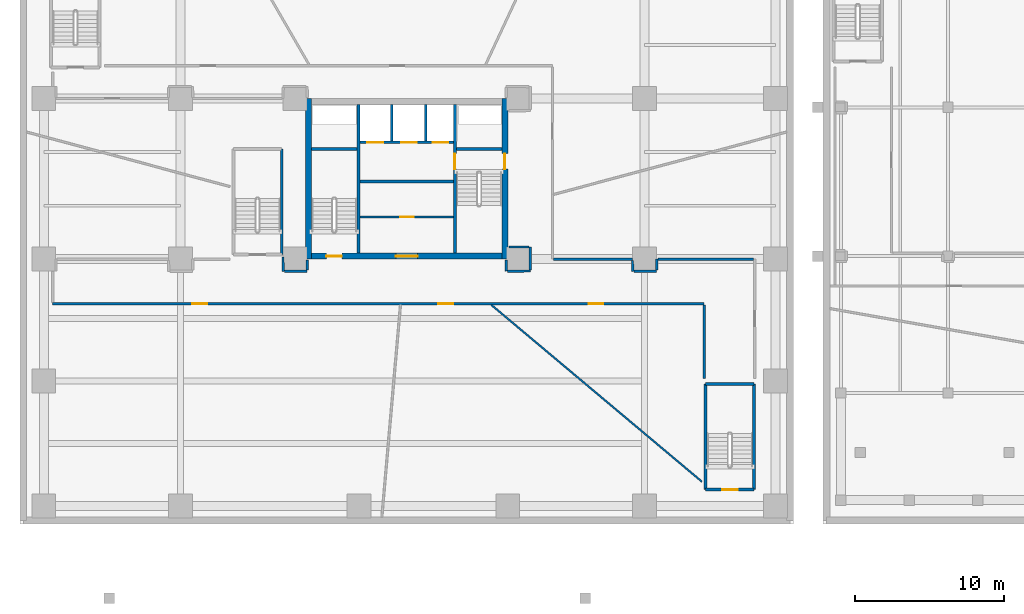
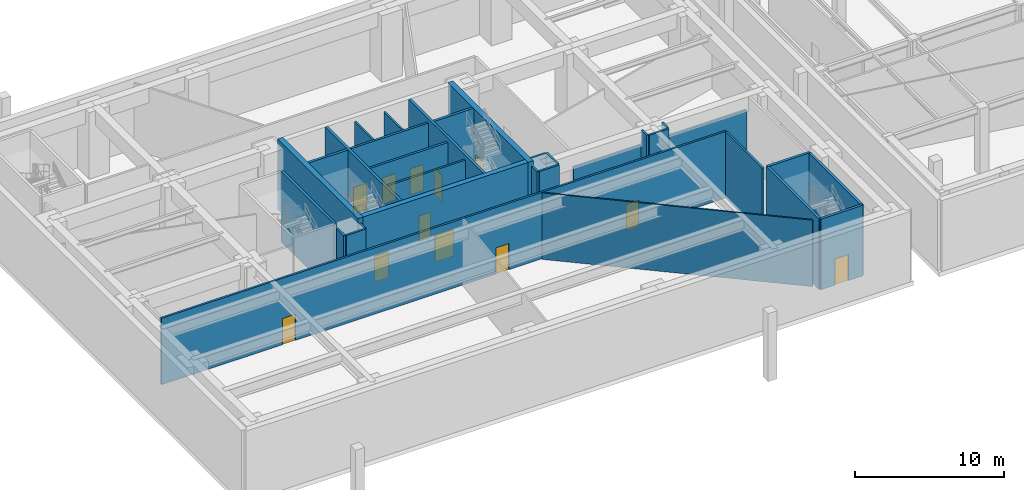
# One storey, part 4 of 12: 32 walls, 12 doors, 12 openings.
"""IFC4 building model written with IfcOpenShell, lengths in metres."""

from ifc_helpers import new_model, si_unit, direction, frame, frame_2d, origin, place, context, subcontext, project, spatial, rectangle, extrude, source, transform, mapped, material, layer, layer_set, type_object, type_shapes, element, fill, save


model = new_model("IFC4")

# Units and contexts
model_context = context("Model", 3, precision=1e-05, world=origin(), true_north=direction((0.0, 1.0)))
body_context = subcontext(model_context, "Body", "Model", "MODEL_VIEW")
ifc_project = project(units=[si_unit("LENGTHUNIT", "METRE"), si_unit("AREAUNIT", "SQUARE_METRE"), si_unit("VOLUMEUNIT", "CUBIC_METRE"), si_unit("PLANEANGLEUNIT", "RADIAN"), si_unit("MASSUNIT", "GRAM", prefix="KILO")], contexts=[model_context])

# Site, building, storey
site_placement = place(None, origin())
site = spatial("IfcSite", under=ifc_project, at=site_placement, CompositionType="ELEMENT")
building_placement = place(site_placement, origin())
building = spatial("IfcBuilding", under=site, at=building_placement, Name="Talar Marvaseh", CompositionType="ELEMENT")
storey_placement = place(building_placement, frame((0.0, 0.0, -5.800048828125)))
storey = spatial("IfcBuildingStorey", under=building, at=storey_placement, Name="B01", CompositionType="ELEMENT", Elevation=-5.800048828125)

# Wall, opening, door
ifc_material_1 = material(Name="Gypsum Board Partition Assembly")
ifc_layer_1 = layer(ifc_material_1, 0.155029296875)
ifc_layer_set_1 = layer_set([ifc_layer_1], Name="Gypsum Board Partition Assembly")
wall_type_1 = type_object("IfcWallType", Name="Corridor Fire-Rated Acoustic Partition 155", PredefinedType="PARTITIONING", material=ifc_layer_set_1)
wall_1_placement = place(storey_placement, frame((22.865966796875, 28.639892578125, 0.0), z_axis=(0.0, 0.0, 1.0), x_axis=(1.0, 0.0, 0.0)))
wall_1 = element("IfcWall", 1, at=wall_1_placement, inside=storey, type_object=wall_type_1, Name="B01 Core BOH Partition", PredefinedType="PARTITIONING", context=body_context, shape_type="SweptSolid", body=[
    extrude(rectangle(XDim=6.26806640625, YDim=0.155029296875, at=frame_2d((3.134033203125, 0.0))), origin(), (0.0, 0.0, 1.0), 5.449951171875),
])
opening_1_placement = place(wall_1_placement, frame((2.699951171875, 0.0, 0.0)))
opening_1 = element("IfcOpeningElement", 2, at=opening_1_placement, cuts=wall_1, Name="Opening DR-BOH090", PredefinedType="OPENING", context=body_context, shape_type="SweptSolid", body=[
    extrude(rectangle(XDim=0.89990234375, YDim=2.10009765625, at=frame_2d((0.449951171875, 1.050048828125))), frame((0.0, 0.08740234375, 0.0), z_axis=(0.0, -1.0, 0.0), x_axis=(1.0, 0.0, 0.0)), (0.0, 0.0, 1.0), 0.175048828125),
])
ifc_material_2 = material(Name="Fire-Rated Steel Door Leaf", Category="steel")
door_type_1 = type_object("IfcDoorType", Name="Core Back-of-House Service Door 900x2100", OperationType="NOTDEFINED", PredefinedType="DOOR", material=ifc_material_2)
shared_shape_1 = source(origin(), body_context, "Body", "SweptSolid", [
    extrude(rectangle(XDim=0.89990234375, YDim=2.10009765625, at=frame_2d((0.449951171875, 1.050048828125))), frame((0.0, 0.02490234375, 0.0), z_axis=(0.0, -1.0, 0.0), x_axis=(1.0, 0.0, 0.0)), (0.0, 0.0, 1.0), 0.050048828125),
])
type_shapes(door_type_1, [shared_shape_1])
door_1_placement = place(opening_1_placement, origin())
door_1 = element("IfcDoor", 3, at=door_1_placement, inside=storey, type_object=door_type_1, Name="B01 Store Core Central Archive Door", OperationType="SINGLE_SWING_LEFT", OverallHeight=2.10009765625, OverallWidth=0.89990234375, PredefinedType="DOOR", context=body_context, shape_type="MappedRepresentation", body=[
    mapped(shared_shape_1, transform((0.0, 0.0, 0.0), x_axis=(1.0, 0.0, 0.0), y_axis=(0.0, 1.0, 0.0), z_axis=(0.0, 0.0, 1.0), scale=1.0)),
])
fill(opening_1, door_1)

# Wall, openings, doors
wall_2_placement = place(storey_placement, frame((46.0, 22.800048828125, 0.0), z_axis=(0.0, 0.0, 1.0), x_axis=(-1.0, 0.0, 0.0)))
wall_2 = element("IfcWall", 4, at=wall_2_placement, inside=storey, type_object=wall_type_1, Name="B01 Interior Partition Wall", PredefinedType="PARTITIONING", context=body_context, shape_type="SweptSolid", body=[
    extrude(rectangle(XDim=43.800048828125, YDim=0.155029296875, at=frame_2d((21.89990234375, 0.0))), origin(), (0.0, 0.0, 1.0), 5.449951171875),
])
opening_2_placement = place(wall_2_placement, frame((33.41796875, 0.0, 0.0)))
opening_2 = element("IfcOpeningElement", 5, at=opening_2_placement, cuts=wall_2, Name="Opening DR-RM100", PredefinedType="OPENING", context=body_context, shape_type="SweptSolid", body=[
    extrude(rectangle(XDim=1.0, YDim=2.14990234375, at=frame_2d((0.5, 1.074951171875))), frame((0.0, 0.08740234375, 0.0), z_axis=(0.0, -1.0, 0.0), x_axis=(1.0, 0.0, 0.0)), (0.0, 0.0, 1.0), 0.175048828125),
])
opening_3_placement = place(wall_2_placement, frame((16.8662109375, 0.0, 0.0)))
opening_3 = element("IfcOpeningElement", 6, at=opening_3_placement, cuts=wall_2, Name="Opening DR-RM100", PredefinedType="OPENING", context=body_context, shape_type="SweptSolid", body=[
    extrude(rectangle(XDim=1.0, YDim=2.14990234375, at=frame_2d((0.5, 1.074951171875))), frame((0.0, 0.08740234375, 0.0), z_axis=(0.0, -1.0, 0.0), x_axis=(1.0, 0.0, 0.0)), (0.0, 0.0, 1.0), 0.175048828125),
])
opening_4_placement = place(wall_2_placement, frame((6.79443359375, 0.0, 0.0)))
opening_4 = element("IfcOpeningElement", 7, at=opening_4_placement, cuts=wall_2, Name="Opening DR-WC095", PredefinedType="OPENING", context=body_context, shape_type="SweptSolid", body=[
    extrude(rectangle(XDim=0.949951171875, YDim=2.14990234375, at=frame_2d((0.47509765625, 1.074951171875))), frame((0.0, 0.08740234375, 0.0), z_axis=(0.0, -1.0, 0.0), x_axis=(1.0, 0.0, 0.0)), (0.0, 0.0, 1.0), 0.175048828125),
])
ifc_material_3 = material(Name="Acoustic Engineered Oak Timber", Category="wood")
door_type_2 = type_object("IfcDoorType", Name="Washroom and Service Room Door 950x2150", OperationType="NOTDEFINED", PredefinedType="DOOR", material=ifc_material_3)
shared_shape_2 = source(origin(), body_context, "Body", "SweptSolid", [
    extrude(rectangle(XDim=0.949951171875, YDim=2.14990234375, at=frame_2d((0.47509765625, 1.074951171875))), frame((0.0, 0.02490234375, 0.0), z_axis=(0.0, -1.0, 0.0), x_axis=(1.0, 0.0, 0.0)), (0.0, 0.0, 1.0), 0.050048828125),
])
type_shapes(door_type_2, [shared_shape_2])
door_2_placement = place(opening_4_placement, origin())
door_2 = element("IfcDoor", 8, at=door_2_placement, inside=storey, type_object=door_type_2, Name="B01 Accessible WC Block Door", OperationType="SINGLE_SWING_LEFT", OverallHeight=2.14990234375, OverallWidth=0.949951171875, PredefinedType="DOOR", context=body_context, shape_type="MappedRepresentation", body=[
    mapped(shared_shape_2, transform((0.0, 0.0, 0.0), x_axis=(1.0, 0.0, 0.0), y_axis=(0.0, 1.0, 0.0), z_axis=(0.0, 0.0, 1.0), scale=1.0)),
])
fill(opening_4, door_2)
door_type_3 = type_object("IfcDoorType", Name="Corridor Fire-Rated Gallery Door 1000x2150", OperationType="NOTDEFINED", PredefinedType="DOOR", material=ifc_material_3)
shared_shape_3 = source(origin(), body_context, "Body", "SweptSolid", [
    extrude(rectangle(XDim=1.0, YDim=2.14990234375, at=frame_2d((0.5, 1.074951171875))), frame((0.0, 0.02490234375, 0.0), z_axis=(0.0, -1.0, 0.0), x_axis=(1.0, 0.0, 0.0)), (0.0, 0.0, 1.0), 0.050048828125),
])
type_shapes(door_type_3, [shared_shape_3])
door_3_placement = place(opening_2_placement, origin())
door_3 = element("IfcDoor", 9, at=door_3_placement, inside=storey, type_object=door_type_3, Name="B01 Metro Paid Ticket Concourse Door", OperationType="SINGLE_SWING_LEFT", OverallHeight=2.14990234375, OverallWidth=1.0, PredefinedType="DOOR", context=body_context, shape_type="MappedRepresentation", body=[
    mapped(shared_shape_3, transform((0.0, 0.0, 0.0), x_axis=(1.0, 0.0, 0.0), y_axis=(0.0, 1.0, 0.0), z_axis=(0.0, 0.0, 1.0), scale=1.0)),
])
fill(opening_2, door_3)
door_4_placement = place(opening_3_placement, origin())
door_4 = element("IfcDoor", 10, at=door_4_placement, inside=storey, type_object=door_type_3, Name="B01 Unpaid Station Interchange Concourse Door", OperationType="SINGLE_SWING_RIGHT", OverallHeight=2.14990234375, OverallWidth=1.0, PredefinedType="DOOR", context=body_context, shape_type="MappedRepresentation", body=[
    mapped(shared_shape_3, transform((0.0, 0.0, 0.0), x_axis=(1.0, 0.0, 0.0), y_axis=(0.0, 1.0, 0.0), z_axis=(0.0, 0.0, 1.0), scale=1.0)),
])
fill(opening_3, door_4)

# Walls
wall_3_placement = place(storey_placement, frame((17.68505859375, 25.949951171875, 0.0), z_axis=(0.0, 0.0, 1.0), x_axis=(0.01543338431, -0.999880898232, 0.0)))
element("IfcWall", 11, at=wall_3_placement, inside=storey, type_object=wall_type_1, Name="B01 Interior Partition Wall", PredefinedType="PARTITIONING", context=body_context, shape_type="SweptSolid", body=[
    extrude(rectangle(XDim=0.96484375, YDim=0.155029296875, at=frame_2d((0.482421875, 0.0))), origin(), (0.0, 0.0, 1.0), 5.449951171875),
])
wall_4_placement = place(storey_placement, frame((17.783447265625, 24.985107421875, 0.0), z_axis=(0.0, 0.0, 1.0), x_axis=(0.99999937099, 0.00112161442, 0.0)))
element("IfcWall", 12, at=wall_4_placement, inside=storey, type_object=wall_type_1, Name="B01 Interior Partition Wall", PredefinedType="PARTITIONING", context=body_context, shape_type="SweptSolid", body=[
    extrude(rectangle(XDim=1.523681640625, YDim=0.155029296875, at=frame_2d((0.76171875, 0.0))), origin(), (0.0, 0.0, 1.0), 5.449951171875),
])
wall_5_placement = place(storey_placement, frame((19.30810546875, 25.0703125, 0.0), z_axis=(0.0, 0.0, 1.0), x_axis=(0.010362137944, 0.999946311607, 0.0)))
element("IfcWall", 13, at=wall_5_placement, inside=storey, type_object=wall_type_1, Name="B01 Interior Partition Wall", PredefinedType="PARTITIONING", context=body_context, shape_type="SweptSolid", body=[
    extrude(rectangle(XDim=0.65966796875, YDim=0.155029296875, at=frame_2d((0.329833984375, 0.0))), origin(), (0.0, 0.0, 1.0), 5.449951171875),
])
wall_6_placement = place(storey_placement, frame((32.68505859375, 25.72998046875, 0.0), z_axis=(0.0, 0.0, 1.0), x_axis=(0.010511902743, -0.999944748424, 0.0)))
element("IfcWall", 14, at=wall_6_placement, inside=storey, type_object=wall_type_1, Name="B01 Interior Partition Wall", PredefinedType="PARTITIONING", context=body_context, shape_type="SweptSolid", body=[
    extrude(rectangle(XDim=0.7431640625, YDim=0.155029296875, at=frame_2d((0.37158203125, 0.0))), origin(), (0.0, 0.0, 1.0), 5.449951171875),
])
wall_7_placement = place(storey_placement, frame((32.7763671875, 24.987548828125, 0.0), z_axis=(0.0, 0.0, 1.0), x_axis=(0.999967255963, 0.008092404007, 0.0)))
element("IfcWall", 15, at=wall_7_placement, inside=storey, type_object=wall_type_1, Name="B01 Interior Partition Wall", PredefinedType="PARTITIONING", context=body_context, shape_type="SweptSolid", body=[
    extrude(rectangle(XDim=1.53857421875, YDim=0.155029296875, at=frame_2d((0.769287109375, 0.0))), origin(), (0.0, 0.0, 1.0), 5.449951171875),
])
wall_8_placement = place(storey_placement, frame((34.314697265625, 25.08349609375, 0.0), z_axis=(0.0, 0.0, 1.0), x_axis=(-0.002717815702, 0.999996306732, 0.0)))
element("IfcWall", 16, at=wall_8_placement, inside=storey, type_object=wall_type_1, Name="B01 Interior Partition Wall", PredefinedType="PARTITIONING", context=body_context, shape_type="SweptSolid", body=[
    extrude(rectangle(XDim=1.527099609375, YDim=0.155029296875, at=frame_2d((0.763671875, 0.0))), origin(), (0.0, 0.0, 1.0), 5.449951171875),
])
wall_9_placement = place(storey_placement, frame((34.22705078125, 26.61083984375, 0.0), z_axis=(0.0, 0.0, 1.0), x_axis=(-0.999995856473, 0.002878721429, 0.0)))
element("IfcWall", 17, at=wall_9_placement, inside=storey, type_object=wall_type_1, Name="B01 Interior Partition Wall", PredefinedType="PARTITIONING", context=body_context, shape_type="SweptSolid", body=[
    extrude(rectangle(XDim=1.35693359375, YDim=0.155029296875, at=frame_2d((0.678466796875, 0.0))), origin(), (0.0, 0.0, 1.0), 5.449951171875),
])
wall_10_placement = place(storey_placement, frame((35.883544921875, 25.800048828125, 0.0), z_axis=(0.0, 0.0, 1.0), x_axis=(1.0, 0.0, 0.0)))
element("IfcWall", 18, at=wall_10_placement, inside=storey, type_object=wall_type_1, Name="B01 Interior Partition Wall", PredefinedType="PARTITIONING", context=body_context, shape_type="SweptSolid", body=[
    extrude(rectangle(XDim=5.301513671875, YDim=0.155029296875, at=frame_2d((2.65087890625, 0.0))), origin(), (0.0, 0.0, 1.0), 4.22509765625),
])
wall_11_placement = place(storey_placement, frame((41.1865234375, 25.716552734375, 0.0), z_axis=(0.0, 0.0, 1.0), x_axis=(0.01835471782, -0.999831537977, 0.0)))
element("IfcWall", 19, at=wall_11_placement, inside=storey, type_object=wall_type_1, Name="B01 Interior Partition Wall", PredefinedType="PARTITIONING", context=body_context, shape_type="SweptSolid", body=[
    extrude(rectangle(XDim=0.731689453125, YDim=0.155029296875, at=frame_2d((0.36572265625, 0.0))), origin(), (0.0, 0.0, 1.0), 5.449951171875),
])
wall_12_placement = place(storey_placement, frame((41.283447265625, 24.985107421875, 0.0), z_axis=(0.0, 0.0, 1.0), x_axis=(0.99999937099, 0.00112161442, 0.0)))
element("IfcWall", 20, at=wall_12_placement, inside=storey, type_object=wall_type_1, Name="B01 Interior Partition Wall", PredefinedType="PARTITIONING", context=body_context, shape_type="SweptSolid", body=[
    extrude(rectangle(XDim=1.523681640625, YDim=0.155029296875, at=frame_2d((0.76171875, 0.0))), origin(), (0.0, 0.0, 1.0), 5.449951171875),
])
wall_13_placement = place(storey_placement, frame((42.807861328125, 25.0703125, 0.0), z_axis=(0.0, 0.0, 1.0), x_axis=(0.009701784932, 0.999952936577, 0.0)))
element("IfcWall", 21, at=wall_13_placement, inside=storey, type_object=wall_type_1, Name="B01 Interior Partition Wall", PredefinedType="PARTITIONING", context=body_context, shape_type="SweptSolid", body=[
    extrude(rectangle(XDim=0.729736328125, YDim=0.155029296875, at=frame_2d((0.36474609375, 0.0))), origin(), (0.0, 0.0, 1.0), 5.449951171875),
])
wall_14_placement = place(storey_placement, frame((42.8984375, 25.800048828125, 0.0), z_axis=(0.0, 0.0, 1.0), x_axis=(1.0, 0.0, 0.0)))
element("IfcWall", 22, at=wall_14_placement, inside=storey, type_object=wall_type_1, Name="B01 Interior Partition Wall", PredefinedType="PARTITIONING", context=body_context, shape_type="SweptSolid", body=[
    extrude(rectangle(XDim=6.41796875, YDim=0.155029296875, at=frame_2d((3.208984375, 0.0))), origin(), (0.0, 0.0, 1.0), 4.22509765625),
])
wall_15_placement = place(storey_placement, frame((46.0, 17.77001953125, 0.0), z_axis=(0.0, 0.0, 1.0), x_axis=(0.0, 1.0, 0.0)))
element("IfcWall", 23, at=wall_15_placement, inside=storey, type_object=wall_type_1, Name="B01 Interior Partition Wall", PredefinedType="PARTITIONING", context=body_context, shape_type="SweptSolid", body=[
    extrude(rectangle(XDim=4.946533203125, YDim=0.155029296875, at=frame_2d((2.47314453125, 0.0))), origin(), (0.0, 0.0, 1.0), 5.449951171875),
])
ifc_layer_2 = layer(ifc_material_1, 0.1201171875)
ifc_layer_set_2 = layer_set([ifc_layer_2], Name="Gypsum Board Partition Assembly")
wall_type_2 = type_object("IfcWallType", Name="Demountable Studio Room Partition 120", PredefinedType="PARTITIONING", material=ifc_layer_set_2)
wall_16_placement = place(storey_placement, frame((31.699462890625, 22.716552734375, 0.0), z_axis=(0.0, 0.0, 1.0), x_axis=(0.765973207977, -0.642872494871, 0.0)))
element("IfcWall", 24, at=wall_16_placement, inside=storey, type_object=wall_type_2, Name="B01 Interior Partition Wall", PredefinedType="PARTITIONING", context=body_context, shape_type="SweptSolid", body=[
    extrude(rectangle(XDim=18.47412109375, YDim=0.1201171875, at=frame_2d((9.237060546875, 0.0))), origin(), (0.0, 0.0, 1.0), 5.449951171875),
])
ifc_material_4 = material(Name="Precast concrete C45/55", Category="concrete")
ifc_layer_3 = layer(ifc_material_4, 0.14501953125)
ifc_layer_set_3 = layer_set([ifc_layer_3], Name="Precast concrete C45/55")
wall_type_3 = type_object("IfcWallType", Name="Fire-Rated Lift Divider Wall 145", PredefinedType="SOLIDWALL", material=ifc_layer_set_3)
for number, where, z_axis, x_axis, name in (
    (25, (25.0, 33.743408203125, 0.0), (0.0, 0.0, 1.0), (0.0, 1.0, 0.0), "B01 FFL-1/FFL-2 Divider"),
    (26, (27.280029296875, 33.743408203125, 0.0), (0.0, 0.0, 1.0), (0.0, 1.0, 0.0), "B01 FFL-2/SVL-1 Divider"),
):
    element("IfcWall", number, at=place(storey_placement, frame(where, z_axis=z_axis, x_axis=x_axis)), inside=storey, type_object=wall_type_3, Name=name, PredefinedType="SOLIDWALL", context=body_context, shape_type="SweptSolid", body=[
        extrude(rectangle(XDim=2.45654296875, YDim=0.14501953125, at=frame_2d((1.228271484375, 0.0))), origin(), (0.0, 0.0, 1.0), 5.449951171875),
    ])

# Wall, openings, doors
ifc_layer_4 = layer(ifc_material_4, 0.175048828125)
ifc_layer_set_4 = layer_set([ifc_layer_4], Name="Precast concrete C45/55")
wall_type_4 = type_object("IfcWallType", Name="Fire-Rated Lift Hoistway Enclosure Wall 175", PredefinedType="SOLIDWALL", material=ifc_layer_set_4)
wall_17_placement = place(storey_placement, frame((22.860107421875, 33.64990234375, 0.0), z_axis=(0.0, 0.0, 1.0), x_axis=(1.0, 0.0, 0.0)))
wall_17 = element("IfcWall", 27, at=wall_17_placement, inside=storey, type_object=wall_type_4, Name="B01 Firefighting and Service Lift Front Wall", PredefinedType="SOLIDWALL", context=body_context, shape_type="SweptSolid", body=[
    extrude(rectangle(XDim=6.27978515625, YDim=0.175048828125, at=frame_2d((3.139892578125, 0.0))), origin(), (0.0, 0.0, 1.0), 5.449951171875),
])
opening_5_placement = place(wall_17_placement, frame((0.5, 0.0, 0.0)))
opening_5 = element("IfcOpeningElement", 28, at=opening_5_placement, cuts=wall_17, Name="Opening LD-FF1", PredefinedType="OPENING", context=body_context, shape_type="SweptSolid", body=[
    extrude(rectangle(XDim=1.050048828125, YDim=2.14990234375, at=frame_2d((0.52490234375, 1.074951171875))), frame((0.0, 0.09765625, 0.0), z_axis=(0.0, -1.0, 0.0), x_axis=(1.0, 0.0, 0.0)), (0.0, 0.0, 1.0), 0.195068359375),
])
opening_6_placement = place(wall_17_placement, frame((2.760009765625, 0.0, 0.0)))
opening_6 = element("IfcOpeningElement", 29, at=opening_6_placement, cuts=wall_17, Name="Opening LD-FF2", PredefinedType="OPENING", context=body_context, shape_type="SweptSolid", body=[
    extrude(rectangle(XDim=1.050048828125, YDim=2.14990234375, at=frame_2d((0.52490234375, 1.074951171875))), frame((0.0, 0.09765625, 0.0), z_axis=(0.0, -1.0, 0.0), x_axis=(1.0, 0.0, 0.0)), (0.0, 0.0, 1.0), 0.195068359375),
])
opening_7_placement = place(wall_17_placement, frame((4.89990234375, 0.0, 0.0)))
opening_7 = element("IfcOpeningElement", 30, at=opening_7_placement, cuts=wall_17, Name="Opening LD-SV1", PredefinedType="OPENING", context=body_context, shape_type="SweptSolid", body=[
    extrude(rectangle(XDim=1.050048828125, YDim=2.14990234375, at=frame_2d((0.52490234375, 1.074951171875))), frame((0.0, 0.09765625, 0.0), z_axis=(0.0, -1.0, 0.0), x_axis=(1.0, 0.0, 0.0)), (0.0, 0.0, 1.0), 0.195068359375),
])
ifc_material_5 = material(Name="Stainless Steel Grade 316", Category="steel")
door_type_4 = type_object("IfcDoorType", Name="Automatic Sliding Lift Landing Door 1050x2150", OperationType="NOTDEFINED", PredefinedType="DOOR", material=ifc_material_5)
shared_shape_4 = source(origin(), body_context, "Body", "SweptSolid", [
    extrude(rectangle(XDim=1.050048828125, YDim=2.14990234375, at=frame_2d((0.52490234375, 1.074951171875))), frame((0.0, 0.02490234375, 0.0), z_axis=(0.0, -1.0, 0.0), x_axis=(1.0, 0.0, 0.0)), (0.0, 0.0, 1.0), 0.050048828125),
])
type_shapes(door_type_4, [shared_shape_4])
door_5_placement = place(opening_5_placement, origin())
door_5 = element("IfcDoor", 31, at=door_5_placement, inside=storey, type_object=door_type_4, Name="B01 Lift FFL-1 Sliding Landing Door", OperationType="SLIDING_TO_LEFT", OverallHeight=2.14990234375, OverallWidth=1.050048828125, PredefinedType="DOOR", context=body_context, shape_type="MappedRepresentation", body=[
    mapped(shared_shape_4, transform((0.0, 0.0, 0.0), x_axis=(1.0, 0.0, 0.0), y_axis=(0.0, 1.0, 0.0), z_axis=(0.0, 0.0, 1.0), scale=1.0)),
])
fill(opening_5, door_5)
door_6_placement = place(opening_6_placement, origin())
door_6 = element("IfcDoor", 32, at=door_6_placement, inside=storey, type_object=door_type_4, Name="B01 Lift FFL-2 Sliding Landing Door", OperationType="SLIDING_TO_LEFT", OverallHeight=2.14990234375, OverallWidth=1.050048828125, PredefinedType="DOOR", context=body_context, shape_type="MappedRepresentation", body=[
    mapped(shared_shape_4, transform((0.0, 0.0, 0.0), x_axis=(1.0, 0.0, 0.0), y_axis=(0.0, 1.0, 0.0), z_axis=(0.0, 0.0, 1.0), scale=1.0)),
])
fill(opening_6, door_6)
door_7_placement = place(opening_7_placement, origin())
door_7 = element("IfcDoor", 33, at=door_7_placement, inside=storey, type_object=door_type_4, Name="B01 Lift SVL-1 Sliding Landing Door", OperationType="SLIDING_TO_LEFT", OverallHeight=2.14990234375, OverallWidth=1.050048828125, PredefinedType="DOOR", context=body_context, shape_type="MappedRepresentation", body=[
    mapped(shared_shape_4, transform((0.0, 0.0, 0.0), x_axis=(1.0, 0.0, 0.0), y_axis=(0.0, 1.0, 0.0), z_axis=(0.0, 0.0, 1.0), scale=1.0)),
])
fill(opening_7, door_7)

# Walls
wall_18_placement = place(storey_placement, frame((22.860107421875, 31.02001953125, 0.0), z_axis=(0.0, 0.0, 1.0), x_axis=(1.0, 0.0, 0.0)))
element("IfcWall", 34, at=wall_18_placement, inside=storey, type_object=wall_type_4, Name="B01 Firefighting Lobby South Smoke Wall", PredefinedType="SOLIDWALL", context=body_context, shape_type="SweptSolid", body=[
    extrude(rectangle(XDim=6.27978515625, YDim=0.175048828125, at=frame_2d((3.139892578125, 0.0))), origin(), (0.0, 0.0, 1.0), 5.449951171875),
])
ifc_material_6 = material(Name="Concrete C70/85", Category="concrete")
ifc_layer_5 = layer(ifc_material_6, 0.39990234375)
ifc_layer_set_5 = layer_set([ifc_layer_5], Name="Concrete C70/85")
wall_type_5 = type_object("IfcWallType", Name="Lower Core Reinforced Concrete Shear Wall 400", PredefinedType="SHEAR", material=ifc_layer_set_5)
wall_19_placement = place(storey_placement, frame((19.39990234375, 25.800048828125, 0.0), z_axis=(0.0, 0.0, 1.0), x_axis=(0.0, 1.0, 0.0)))
element("IfcWall", 35, at=wall_19_placement, inside=storey, type_object=wall_type_5, Name="B01 West Core Shear Wall", PredefinedType="SHEAR", context=body_context, shape_type="SweptSolid", body=[
    extrude(rectangle(XDim=10.800048828125, YDim=0.39990234375, at=frame_2d((5.39990234375, 0.0))), origin(), (0.0, 0.0, 1.0), 5.800048828125),
])

# Wall, opening, door
wall_20_placement = place(storey_placement, frame((32.60009765625, 36.60009765625, 0.0), z_axis=(0.0, 0.0, 1.0), x_axis=(0.0, -1.0, 0.0)))
wall_20 = element("IfcWall", 36, at=wall_20_placement, inside=storey, type_object=wall_type_5, Name="B01 East Core Shear Wall", PredefinedType="SHEAR", context=body_context, shape_type="SweptSolid", body=[
    extrude(rectangle(XDim=10.800048828125, YDim=0.39990234375, at=frame_2d((5.39990234375, 0.0))), origin(), (0.0, 0.0, 1.0), 5.800048828125),
])
opening_8_placement = place(wall_20_placement, frame((3.699951171875, 0.0, 0.0)))
opening_8 = element("IfcOpeningElement", 37, at=opening_8_placement, cuts=wall_20, Name="Opening DR-ST105", PredefinedType="OPENING", context=body_context, shape_type="SweptSolid", body=[
    extrude(rectangle(XDim=1.050048828125, YDim=2.14990234375, at=frame_2d((0.52490234375, 1.074951171875))), frame((0.0, 0.2099609375, 0.0), z_axis=(0.0, -1.0, 0.0), x_axis=(1.0, 0.0, 0.0)), (0.0, 0.0, 1.0), 0.419921875),
])
door_type_5 = type_object("IfcDoorType", Name="Protected Exit Stair Fire Door 1050x2150", OperationType="NOTDEFINED", PredefinedType="DOOR", material=ifc_material_2)
shared_shape_5 = source(origin(), body_context, "Body", "SweptSolid", [
    extrude(rectangle(XDim=1.050048828125, YDim=2.14990234375, at=frame_2d((0.52490234375, 1.074951171875))), frame((0.0, 0.02490234375, 0.0), z_axis=(0.0, -1.0, 0.0), x_axis=(1.0, 0.0, 0.0)), (0.0, 0.0, 1.0), 0.050048828125),
])
type_shapes(door_type_5, [shared_shape_5])
door_8_placement = place(opening_8_placement, origin())
door_8 = element("IfcDoor", 38, at=door_8_placement, inside=storey, type_object=door_type_5, Name="B01 Stair ST-2 Corridor Exit Door", OperationType="SINGLE_SWING_LEFT", OverallHeight=2.14990234375, OverallWidth=1.050048828125, PredefinedType="DOOR", context=body_context, shape_type="MappedRepresentation", body=[
    mapped(shared_shape_5, transform((0.0, 0.0, 0.0), x_axis=(1.0, 0.0, 0.0), y_axis=(0.0, 1.0, 0.0), z_axis=(0.0, 0.0, 1.0), scale=1.0)),
])
fill(opening_8, door_8)

# Wall, openings, doors
wall_21_placement = place(storey_placement, frame((32.39990234375, 26.0, 0.0), z_axis=(0.0, 0.0, 1.0), x_axis=(-1.0, 0.0, 0.0)))
wall_21 = element("IfcWall", 39, at=wall_21_placement, inside=storey, type_object=wall_type_5, Name="B01 South Core Shear Wall", PredefinedType="SHEAR", context=body_context, shape_type="SweptSolid", body=[
    extrude(rectangle(XDim=12.7998046875, YDim=0.39990234375, at=frame_2d((6.39990234375, 0.0))), origin(), (0.0, 0.0, 1.0), 5.800048828125),
])
opening_9_placement = place(wall_21_placement, frame((10.75, 0.0, 0.0)))
opening_9 = element("IfcOpeningElement", 40, at=opening_9_placement, cuts=wall_21, Name="Opening DR-ST105", PredefinedType="OPENING", context=body_context, shape_type="SweptSolid", body=[
    extrude(rectangle(XDim=1.050048828125, YDim=2.14990234375, at=frame_2d((0.52490234375, 1.074951171875))), frame((0.0, 0.2099609375, 0.0), z_axis=(0.0, -1.0, 0.0), x_axis=(1.0, 0.0, 0.0)), (0.0, 0.0, 1.0), 0.419921875),
])
opening_10_placement = place(wall_21_placement, frame((5.669921875, 0.0, 0.0)))
opening_10 = element("IfcOpeningElement", 41, at=opening_10_placement, cuts=wall_21, Name="Opening DR-LBY145", PredefinedType="OPENING", context=body_context, shape_type="SweptSolid", body=[
    extrude(rectangle(XDim=1.449951171875, YDim=2.199951171875, at=frame_2d((0.72509765625, 1.10009765625))), frame((0.0, 0.2099609375, 0.0), z_axis=(0.0, -1.0, 0.0), x_axis=(1.0, 0.0, 0.0)), (0.0, 0.0, 1.0), 0.419921875),
])
door_9_placement = place(opening_9_placement, origin())
door_9 = element("IfcDoor", 42, at=door_9_placement, inside=storey, type_object=door_type_5, Name="B01 Stair ST-1 Exit Door", OperationType="SINGLE_SWING_RIGHT", OverallHeight=2.14990234375, OverallWidth=1.050048828125, PredefinedType="DOOR", context=body_context, shape_type="MappedRepresentation", body=[
    mapped(shared_shape_5, transform((0.0, 0.0, 0.0), x_axis=(1.0, 0.0, 0.0), y_axis=(0.0, 1.0, 0.0), z_axis=(0.0, 0.0, 1.0), scale=1.0)),
])
fill(opening_9, door_9)
door_type_6 = type_object("IfcDoorType", Name="Core Lift Lobby Double Smoke Door 1450x2200", OperationType="NOTDEFINED", PredefinedType="DOOR", material=ifc_material_2)
shared_shape_6 = source(origin(), body_context, "Body", "SweptSolid", [
    extrude(rectangle(XDim=1.449951171875, YDim=2.199951171875, at=frame_2d((0.72509765625, 1.10009765625))), frame((0.0, 0.02490234375, 0.0), z_axis=(0.0, -1.0, 0.0), x_axis=(1.0, 0.0, 0.0)), (0.0, 0.0, 1.0), 0.050048828125),
])
type_shapes(door_type_6, [shared_shape_6])
door_10_placement = place(opening_10_placement, origin())
door_10 = element("IfcDoor", 43, at=door_10_placement, inside=storey, type_object=door_type_6, Name="B01 Passenger Lift Lobby Entrance Door", OperationType="DOUBLE_DOOR_SINGLE_SWING", OverallHeight=2.199951171875, OverallWidth=1.449951171875, PredefinedType="DOOR", context=body_context, shape_type="MappedRepresentation", body=[
    mapped(shared_shape_6, transform((0.0, 0.0, 0.0), x_axis=(1.0, 0.0, 0.0), y_axis=(0.0, 1.0, 0.0), z_axis=(0.0, 0.0, 1.0), scale=1.0)),
])
fill(opening_10, door_10)

# Wall
ifc_material_7 = material(Name="Concrete C50/60", Category="concrete")
ifc_layer_6 = layer(ifc_material_7, 0.199951171875)
ifc_layer_set_6 = layer_set([ifc_layer_6], Name="Concrete C50/60")
wall_type_6 = type_object("IfcWallType", Name="Stair Shaft Structural Concrete Shear Wall 200", PredefinedType="SHEAR", material=ifc_layer_set_6)
wall_22_placement = place(storey_placement, frame((22.760009765625, 26.199951171875, 0.0), z_axis=(0.0, 0.0, 1.0), x_axis=(0.0, 1.0, 0.0)))
element("IfcWall", 44, at=wall_22_placement, inside=storey, type_object=wall_type_6, Name="B01 Core West Stair Shear Wall", PredefinedType="SHEAR", context=body_context, shape_type="SweptSolid", body=[
    extrude(rectangle(XDim=10.0, YDim=0.199951171875, at=frame_2d((5.0, 0.0))), origin(), (0.0, 0.0, 1.0), 5.800048828125),
])

# Wall, opening, door
wall_23_placement = place(storey_placement, frame((29.239990234375, 26.199951171875, 0.0), z_axis=(0.0, 0.0, 1.0), x_axis=(0.0, 1.0, 0.0)))
wall_23 = element("IfcWall", 45, at=wall_23_placement, inside=storey, type_object=wall_type_6, Name="B01 Core East Stair Shear Wall", PredefinedType="SHEAR", context=body_context, shape_type="SweptSolid", body=[
    extrude(rectangle(XDim=10.0, YDim=0.199951171875, at=frame_2d((5.0, 0.0))), origin(), (0.0, 0.0, 1.0), 5.800048828125),
])
opening_11_placement = place(wall_23_placement, frame((5.64990234375, 0.0, 0.0)))
opening_11 = element("IfcOpeningElement", 46, at=opening_11_placement, cuts=wall_23, Name="Opening DR-ST105", PredefinedType="OPENING", context=body_context, shape_type="SweptSolid", body=[
    extrude(rectangle(XDim=1.050048828125, YDim=2.14990234375, at=frame_2d((0.52490234375, 1.074951171875))), frame((0.0, 0.10986328125, 0.0), z_axis=(0.0, -1.0, 0.0), x_axis=(1.0, 0.0, 0.0)), (0.0, 0.0, 1.0), 0.219970703125),
])
door_11_placement = place(opening_11_placement, origin())
door_11 = element("IfcDoor", 47, at=door_11_placement, inside=storey, type_object=door_type_5, Name="B01 Firefighting Lobby to Stair ST-2 Door", OperationType="SINGLE_SWING_LEFT", OverallHeight=2.14990234375, OverallWidth=1.050048828125, PredefinedType="DOOR", context=body_context, shape_type="MappedRepresentation", body=[
    mapped(shared_shape_5, transform((0.0, 0.0, 0.0), x_axis=(1.0, 0.0, 0.0), y_axis=(0.0, 1.0, 0.0), z_axis=(0.0, 0.0, 1.0), scale=1.0)),
])
fill(opening_11, door_11)

# Walls
for number, where, z_axis, x_axis, name in (
    (48, (19.60009765625, 33.199951171875, 0.0), (0.0, 0.0, 1.0), (1.0, 0.0, 0.0), "B01 Stair ST-1 North Shear Wall"),
    (49, (29.340087890625, 33.199951171875, 0.0), (0.0, 0.0, 1.0), (1.0, 0.0, 0.0), "B01 Stair ST-2 North Shear Wall"),
):
    element("IfcWall", number, at=place(storey_placement, frame(where, z_axis=z_axis, x_axis=x_axis)), inside=storey, type_object=wall_type_6, Name=name, PredefinedType="SHEAR", context=body_context, shape_type="SweptSolid", body=[
        extrude(rectangle(XDim=3.059814453125, YDim=0.199951171875, at=frame_2d((1.52978515625, 0.0))), origin(), (0.0, 0.0, 1.0), 5.800048828125),
    ])
wall_24_placement = place(storey_placement, frame((17.60009765625, 26.10009765625, 0.0), z_axis=(0.0, 0.0, 1.0), x_axis=(0.0, 1.0, 0.0)))
element("IfcWall", 50, at=wall_24_placement, inside=storey, type_object=wall_type_6, Name="B01 Stair ST-3 East Shear Wall", PredefinedType="SHEAR", context=body_context, shape_type="SweptSolid", body=[
    extrude(rectangle(XDim=7.099853515625, YDim=0.199951171875, at=frame_2d((3.5498046875, 0.0))), origin(), (0.0, 0.0, 1.0), 5.800048828125),
])

# Wall, opening, door
wall_25_placement = place(storey_placement, frame((49.360107421875, 10.300048828125, 0.0), z_axis=(0.0, 0.0, 1.0), x_axis=(-1.0, 0.0, 0.0)))
wall_25 = element("IfcWall", 51, at=wall_25_placement, inside=storey, type_object=wall_type_6, Name="B01 STN-ST2 South Shear Wall", PredefinedType="SHEAR", context=body_context, shape_type="SweptSolid", body=[
    extrude(rectangle(XDim=3.260009765625, YDim=0.199951171875, at=frame_2d((1.6298828125, 0.0))), origin(), (0.0, 0.0, 1.0), 5.800048828125),
])
opening_12_placement = place(wall_25_placement, frame((1.10009765625, 0.0, 0.0)))
opening_12 = element("IfcOpeningElement", 52, at=opening_12_placement, cuts=wall_25, Name="Opening DR-ST105", PredefinedType="OPENING", context=body_context, shape_type="SweptSolid", body=[
    extrude(rectangle(XDim=1.050048828125, YDim=2.14990234375, at=frame_2d((0.52490234375, 1.074951171875))), frame((0.0, 0.10986328125, 0.0), z_axis=(0.0, -1.0, 0.0), x_axis=(1.0, 0.0, 0.0)), (0.0, 0.0, 1.0), 0.219970703125),
])
door_12_placement = place(opening_12_placement, origin())
door_12 = element("IfcDoor", 53, at=door_12_placement, inside=storey, type_object=door_type_5, Name="B01 STN-ST2 Exit Door", OperationType="SINGLE_SWING_RIGHT", OverallHeight=2.14990234375, OverallWidth=1.050048828125, PredefinedType="DOOR", context=body_context, shape_type="MappedRepresentation", body=[
    mapped(shared_shape_5, transform((0.0, 0.0, 0.0), x_axis=(1.0, 0.0, 0.0), y_axis=(0.0, 1.0, 0.0), z_axis=(0.0, 0.0, 1.0), scale=1.0)),
])
fill(opening_12, door_12)

# Walls
wall_26_placement = place(storey_placement, frame((46.10009765625, 17.39990234375, 0.0), z_axis=(0.0, 0.0, 1.0), x_axis=(1.0, 0.0, 0.0)))
element("IfcWall", 54, at=wall_26_placement, inside=storey, type_object=wall_type_6, Name="B01 STN-ST2 North Shear Wall", PredefinedType="SHEAR", context=body_context, shape_type="SweptSolid", body=[
    extrude(rectangle(XDim=3.260009765625, YDim=0.199951171875, at=frame_2d((1.6298828125, 0.0))), origin(), (0.0, 0.0, 1.0), 5.800048828125),
])
for number, where, z_axis, x_axis, name in (
    (55, (46.10009765625, 10.300048828125, 0.0), (0.0, 0.0, 1.0), (0.0, 1.0, 0.0), "B01 STN-ST2 West Shear Wall"),
    (56, (49.360107421875, 10.300048828125, 0.0), (0.0, 0.0, 1.0), (0.0, 1.0, 0.0), "B01 STN-ST2 East Shear Wall"),
):
    element("IfcWall", number, at=place(storey_placement, frame(where, z_axis=z_axis, x_axis=x_axis)), inside=storey, type_object=wall_type_6, Name=name, PredefinedType="SHEAR", context=body_context, shape_type="SweptSolid", body=[
        extrude(rectangle(XDim=7.099853515625, YDim=0.199951171875, at=frame_2d((3.5498046875, 0.0))), origin(), (0.0, 0.0, 1.0), 5.800048828125),
    ])

save(model, "model.ifc")
